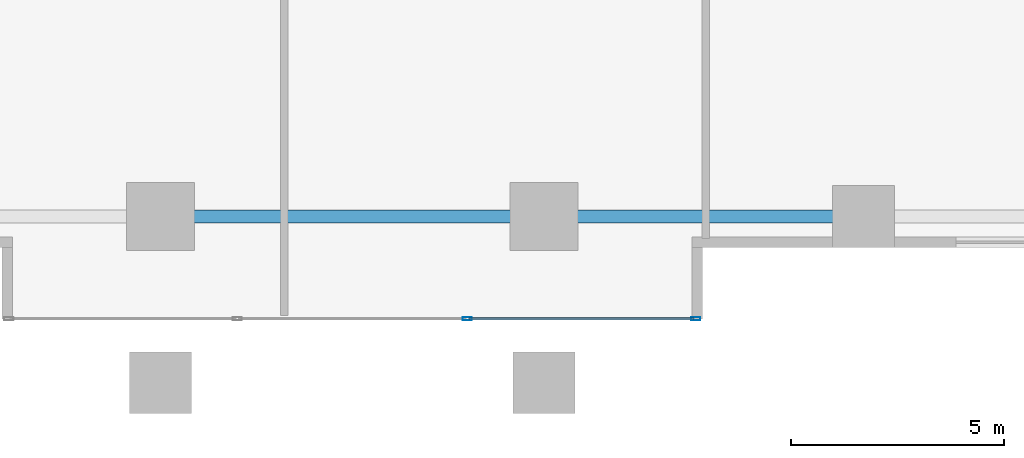
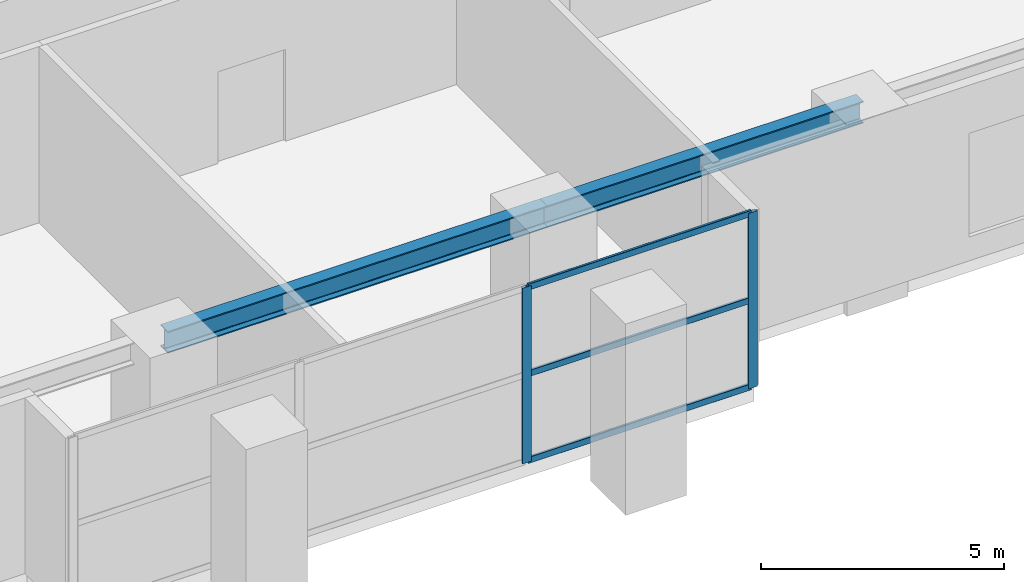
# One storey, part 4 of 20: 5 members, 2 beams, 1 element without a shape of its own.
"""IFC4 building model written with IfcOpenShell, lengths in metres."""

from ifc_helpers import new_model, si_unit, direction, frame, origin, origin_2d, place, context, subcontext, project, spatial, hollow_rectangle, i_section, extrude, source, transform, mapped, material, layer, layer_set, material_profile, profile_set, type_object, element, aggregate, save


model = new_model("IFC4")

# Units and contexts
model_context = context("Model", 3, precision=1e-05, world=origin(), true_north=direction((0.0, 1.0)))
body_context = subcontext(model_context, "Body", "Model", "MODEL_VIEW")
ifc_project = project(units=[si_unit("LENGTHUNIT", "METRE"), si_unit("AREAUNIT", "SQUARE_METRE"), si_unit("VOLUMEUNIT", "CUBIC_METRE"), si_unit("PLANEANGLEUNIT", "RADIAN"), si_unit("MASSUNIT", "GRAM", prefix="KILO")], contexts=[model_context])

# Site, building, storey
site_placement = place(None, origin())
site = spatial("IfcSite", under=ifc_project, at=site_placement, CompositionType="ELEMENT")
building_placement = place(site_placement, origin())
building = spatial("IfcBuilding", under=site, at=building_placement, Name="Serunith Strait Residences", CompositionType="ELEMENT")
storey_placement = place(building_placement, frame((0.0, 0.0, 10.5)))
storey = spatial("IfcBuildingStorey", under=building, at=storey_placement, Name="L02", CompositionType="ELEMENT", Elevation=10.5)

# Beams
ifc_material_1 = material(Name="Steel S355J2", Category="steel")
ifc_material_profile_1 = material_profile(ifc_material_1, i_section(OverallWidth=0.300048828125, OverallDepth=0.550048828125, WebThickness=0.014892578125, FlangeThickness=0.029052734375, FilletRadius=0.027099609375, at=origin_2d()), Name="HEB 550")
ifc_profile_set_1 = profile_set([ifc_material_profile_1], Name="Steel S355J2")
beam_type = type_object("IfcBeamType", Name="BM-HEB550", PredefinedType="BEAM", material=ifc_profile_set_1)
shared_shape_1 = source(origin(), body_context, "Body", "SweptSolid", [
    extrude(i_section(OverallWidth=0.300048828125, OverallDepth=0.550048828125, WebThickness=0.014892578125, FlangeThickness=0.029052734375, FilletRadius=0.027099609375, at=origin_2d()), origin(), (0.0, 0.0, 1.0), 7.5),
])
beam_1_placement = place(storey_placement, frame((36.89990234375, 4.800048828125, 4.14208984375), z_axis=(1.0, 0.0, 0.0), x_axis=(0.0, 1.0, 0.0)))
element("IfcBeam", 1, at=beam_1_placement, inside=storey, type_object=beam_type, Name="BM-L02-04", PredefinedType="BEAM", context=body_context, shape_type="MappedRepresentation", body=[
    mapped(shared_shape_1, transform((0.0, 0.0, 0.0), scale=1.0)),
])
shared_shape_2 = source(origin(), body_context, "Body", "SweptSolid", [
    extrude(i_section(OverallWidth=0.300048828125, OverallDepth=0.550048828125, WebThickness=0.014892578125, FlangeThickness=0.029052734375, FilletRadius=0.027099609375, at=origin_2d()), origin(), (0.0, 0.0, 1.0), 9.0),
])
beam_2_placement = place(storey_placement, frame((27.89990234375, 4.800048828125, 4.14208984375), z_axis=(1.0, 0.0, 0.0), x_axis=(0.0, 1.0, 0.0)))
element("IfcBeam", 2, at=beam_2_placement, inside=storey, type_object=beam_type, Name="BM-L02-03", PredefinedType="BEAM", context=body_context, shape_type="MappedRepresentation", body=[
    mapped(shared_shape_2, transform((0.0, 0.0, 0.0), scale=1.0)),
])

# Curtain wall, members
ifc_material_2 = material(Name="Pale-Champagne Anodised Aluminium", Category="aluminium")
ifc_layer = layer(ifc_material_2, 0.199951171875, Name="Pale-Champagne Anodised Aluminium")
ifc_layer_set = layer_set([ifc_layer], Name="Pale-Champagne Anodised Aluminium")
curtain_wall_type = type_object("IfcCurtainWallType", Name="CW-SYS6", PredefinedType="NOTDEFINED", material=ifc_layer_set)
curtain_wall_placement = place(storey_placement, origin())
curtain_wall = element("IfcCurtainWall", 3, at=curtain_wall_placement, inside=storey, type_object=curtain_wall_type, Name="L02 Podium Galleria Curtain Wall 3A", PredefinedType="NOTDEFINED")
ifc_material_profile_2 = material_profile(ifc_material_2, hollow_rectangle(XDim=0.06005859375, YDim=0.159912109375, WallThickness=0.00341796875, InnerFilletRadius=0.00537109375, OuterFilletRadius=0.0087890625, at=origin_2d()), Name="ALU 160x60x3.5")
ifc_profile_set_2 = profile_set([ifc_material_profile_2], Name="Pale-Champagne Anodised Aluminium")
member_type_1 = type_object("IfcMemberType", Name="CW-SYS6-TRAN", PredefinedType="USERDEFINED", material=ifc_profile_set_2)
shared_shape_3 = source(origin(), body_context, "Body", "SweptSolid", [
    extrude(hollow_rectangle(XDim=0.06005859375, YDim=0.159912109375, WallThickness=0.00341796875, InnerFilletRadius=0.00537109375, OuterFilletRadius=0.0087890625, at=origin_2d()), origin(), (0.0, 0.0, 1.0), 5.28759765625),
])
member_1_placement = place(storey_placement, frame((35.137451171875, 2.39990234375, 0.030029296875), z_axis=(1.0, 0.0, 0.0), x_axis=(0.0, 1.0, 0.0)))
member_1 = element("IfcMember", 4, at=member_1_placement, type_object=member_type_1, Name="CW-6 transom 3.1", ObjectType="TRANSOM", PredefinedType="USERDEFINED", context=body_context, shape_type="MappedRepresentation", body=[
    mapped(shared_shape_3, transform((0.0, 0.0, 0.0), scale=1.0)),
])
member_2_placement = place(storey_placement, frame((35.137451171875, 2.39990234375, 2.202392578125), z_axis=(1.0, 0.0, 0.0), x_axis=(0.0, 1.0, 0.0)))
member_2 = element("IfcMember", 5, at=member_2_placement, type_object=member_type_1, Name="CW-6 transom 3.2", ObjectType="TRANSOM", PredefinedType="USERDEFINED", context=body_context, shape_type="MappedRepresentation", body=[
    mapped(shared_shape_3, transform((0.0, 0.0, 0.0), scale=1.0)),
])
member_3_placement = place(storey_placement, frame((35.137451171875, 2.39990234375, 4.375), z_axis=(1.0, 0.0, 0.0), x_axis=(0.0, 1.0, 0.0)))
member_3 = element("IfcMember", 6, at=member_3_placement, type_object=member_type_1, Name="CW-6 transom 3.3", ObjectType="TRANSOM", PredefinedType="USERDEFINED", context=body_context, shape_type="MappedRepresentation", body=[
    mapped(shared_shape_3, transform((0.0, 0.0, 0.0), scale=1.0)),
])
ifc_material_profile_3 = material_profile(ifc_material_2, hollow_rectangle(XDim=0.074951171875, YDim=0.219970703125, WallThickness=0.00390625, InnerFilletRadius=0.006103515625, OuterFilletRadius=0.010009765625, at=origin_2d()), Name="ALU 220x75x4")
ifc_profile_set_3 = profile_set([ifc_material_profile_3], Name="Pale-Champagne Anodised Aluminium")
member_type_2 = type_object("IfcMemberType", Name="CW-SYS6-MULL", PredefinedType="MULLION", material=ifc_profile_set_3)
shared_shape_4 = source(origin(), body_context, "Body", "SweptSolid", [
    extrude(hollow_rectangle(XDim=0.074951171875, YDim=0.219970703125, WallThickness=0.00390625, InnerFilletRadius=0.006103515625, OuterFilletRadius=0.010009765625, at=origin_2d()), origin(), (0.0, 0.0, 1.0), 4.405029296875),
])
member_4_placement = place(storey_placement, frame((35.10009765625, 2.39990234375, 0.0), z_axis=(0.0, 0.0, 1.0), x_axis=(0.0, 1.0, 0.0)))
member_4 = element("IfcMember", 7, at=member_4_placement, type_object=member_type_2, Name="CW-6 mullion 3", PredefinedType="MULLION", context=body_context, shape_type="MappedRepresentation", body=[
    mapped(shared_shape_4, transform((0.0, 0.0, 0.0), scale=1.0)),
])
member_5_placement = place(storey_placement, frame((40.46240234375, 2.39990234375, 0.0), z_axis=(0.0, 0.0, 1.0), x_axis=(0.0, 1.0, 0.0)))
member_5 = element("IfcMember", 8, at=member_5_placement, type_object=member_type_2, Name="CW-6 mullion 4", PredefinedType="MULLION", context=body_context, shape_type="MappedRepresentation", body=[
    mapped(shared_shape_4, transform((0.0, 0.0, 0.0), scale=1.0)),
])
aggregate(curtain_wall, [member_4, member_5, member_1, member_2, member_3])

save(model, "model.ifc")
